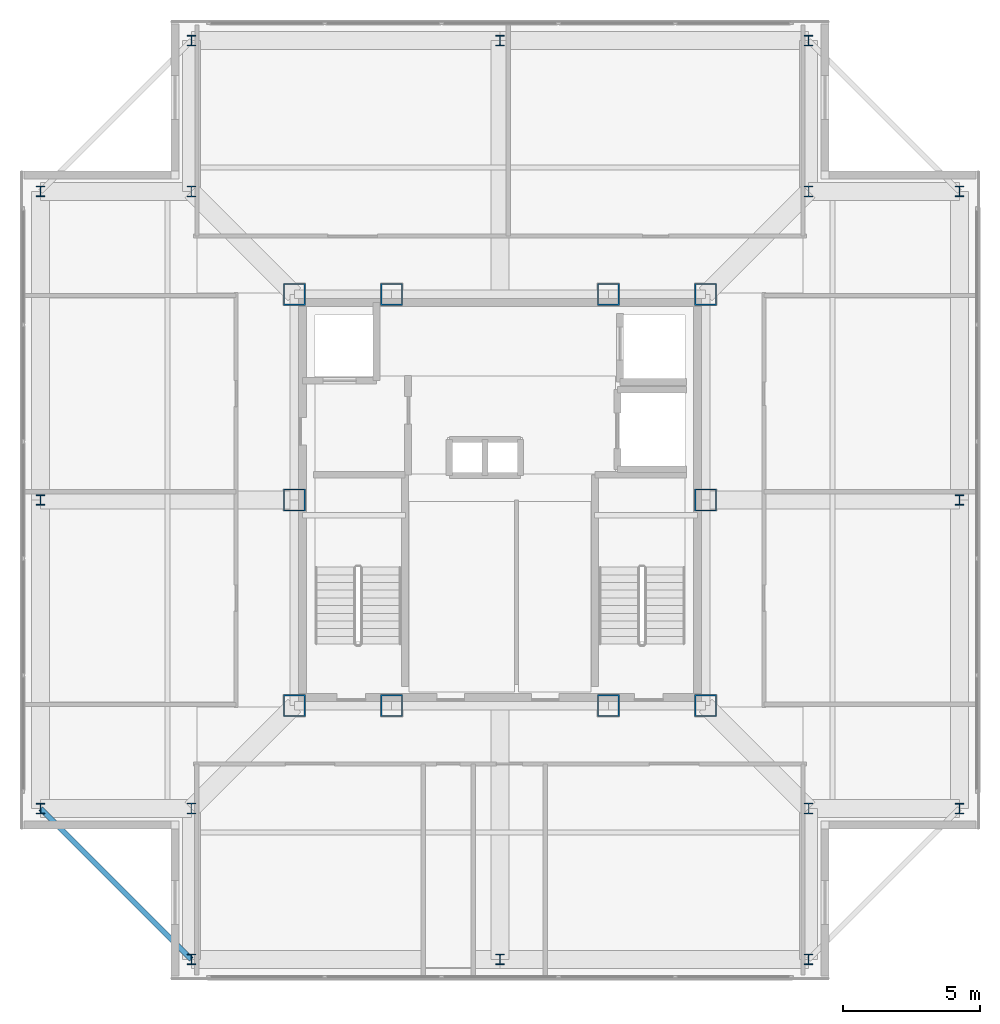
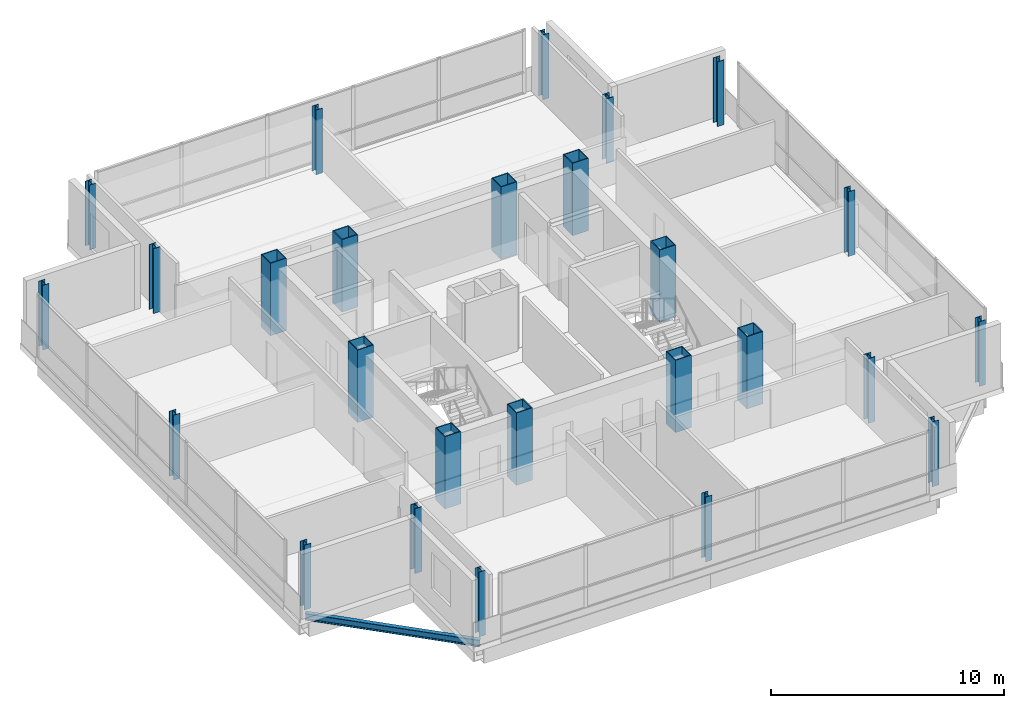
# One storey, part 1 of 12: 26 columns, 1 beam.
"""IFC4 building model written with IfcOpenShell, lengths in metres."""

from ifc_helpers import new_model, si_unit, direction, frame, origin, origin_2d, place, context, subcontext, project, spatial, hollow_rectangle, i_section, extrude, material, material_profile, profile_set, type_object, element, save


model = new_model("IFC4")

# Units and contexts
model_context = context("Model", 3, precision=1e-05, world=origin(), true_north=direction((0.0, 1.0)))
body_context = subcontext(model_context, "Body", "Model", "MODEL_VIEW")
ifc_project = project(units=[si_unit("LENGTHUNIT", "METRE"), si_unit("AREAUNIT", "SQUARE_METRE"), si_unit("VOLUMEUNIT", "CUBIC_METRE"), si_unit("PLANEANGLEUNIT", "RADIAN"), si_unit("MASSUNIT", "GRAM", prefix="KILO")], contexts=[model_context])

# Site, building, storey
site_placement = place(None, origin())
site = spatial("IfcSite", under=ifc_project, at=site_placement, CompositionType="ELEMENT")
building_placement = place(site_placement, origin())
building = spatial("IfcBuilding", under=site, at=building_placement, Name="Trevonay Congress Spire", CompositionType="ELEMENT")
storey_placement = place(building_placement, frame((0.0, 0.0, 304.60009765625)))
storey = spatial("IfcBuildingStorey", under=building, at=storey_placement, Name="L80", CompositionType="ELEMENT", Elevation=304.60009765625)

# Columns
ifc_material = material(Name="Steel ASTM A572 Grade 50", Category="steel")
ifc_material_profile_1 = material_profile(ifc_material, hollow_rectangle(XDim=0.800048828125, YDim=0.800048828125, WallThickness=0.0400390625, at=origin_2d()), Name="BOX 800x800x40")
ifc_profile_set_1 = profile_set([ifc_material_profile_1], Name="Steel ASTM A572 Grade 50")
column_type_1 = type_object("IfcColumnType", Name="COL-CORE-BOX800", PredefinedType="COLUMN", material=ifc_profile_set_1)
for number, where, z_axis, x_axis, name in (
    (1, (-7.5, -7.5, 0.0), (0.0, 0.0, 1.0), (1.0, 0.0, 0.0), "L80 column C05 at CC-SW"),
    (2, (-3.949951171875, -7.5, 0.0), (0.0, 0.0, 1.0), (1.0, 0.0, 0.0), "L80 column C05 at CC-SMW"),
    (3, (3.949951171875, -7.5, 0.0), (0.0, 0.0, 1.0), (1.0, 0.0, 0.0), "L80 column C05 at CC-SME"),
    (4, (7.5, -7.5, 0.0), (0.0, 0.0, 1.0), (1.0, 0.0, 0.0), "L80 column C05 at CC-SE"),
    (5, (7.5, 0.0, 0.0), (0.0, 0.0, 1.0), (1.0, 0.0, 0.0), "L80 column C05 at CC-E"),
    (6, (7.5, 7.5, 0.0), (0.0, 0.0, 1.0), (1.0, 0.0, 0.0), "L80 column C05 at CC-NE"),
    (7, (3.949951171875, 7.5, 0.0), (0.0, 0.0, 1.0), (1.0, 0.0, 0.0), "L80 column C05 at CC-NME"),
    (8, (-3.949951171875, 7.5, 0.0), (0.0, 0.0, 1.0), (1.0, 0.0, 0.0), "L80 column C05 at CC-NMW"),
    (9, (-7.5, 7.5, 0.0), (0.0, 0.0, 1.0), (1.0, 0.0, 0.0), "L80 column C05 at CC-NW"),
    (10, (-7.5, 0.0, 0.0), (0.0, 0.0, 1.0), (1.0, 0.0, 0.0), "L80 column C05 at CC-W"),
):
    element("IfcColumn", number, at=place(storey_placement, frame(where, z_axis=z_axis, x_axis=x_axis)), inside=storey, type_object=column_type_1, Name=name, PredefinedType="COLUMN", context=body_context, shape_type="SweptSolid", body=[
        extrude(hollow_rectangle(XDim=0.800048828125, YDim=0.800048828125, WallThickness=0.0400390625, at=origin_2d()), origin(), (0.0, 0.0, 1.0), 3.7998046875),
    ])
ifc_material_profile_2 = material_profile(ifc_material, i_section(OverallWidth=0.322021484375, OverallDepth=0.3720703125, WebThickness=0.014404296875, FlangeThickness=0.023681640625, FilletRadius=0.02001953125, at=origin_2d()), Name="W360x196")
ifc_profile_set_2 = profile_set([ifc_material_profile_2], Name="Steel ASTM A572 Grade 50")
column_type_2 = type_object("IfcColumnType", Name="COL-CROWN-W360X196", PredefinedType="COLUMN", material=ifc_profile_set_2)
for number, where, z_axis, x_axis, name in (
    (11, (-11.25, -16.75, 0.0), (0.0, 0.0, 1.0), (1.0, 0.0, 0.0), "L80 column C18 at TS-1"),
    (12, (-11.25, 16.75, 0.0), (0.0, 0.0, 1.0), (1.0, 0.0, 0.0), "L80 column C18 at TN-1"),
    (13, (-16.75, -11.25, 0.0), (0.0, 0.0, 1.0), (1.0, 0.0, 0.0), "L80 column C18 at TW-1"),
    (14, (16.75, -11.25, 0.0), (0.0, 0.0, 1.0), (1.0, 0.0, 0.0), "L80 column C18 at TE-1"),
    (15, (0.0, -16.75, 0.0), (0.0, 0.0, 1.0), (1.0, 0.0, 0.0), "L80 column C18 at TS-2"),
    (16, (0.0, 16.75, 0.0), (0.0, 0.0, 1.0), (1.0, 0.0, 0.0), "L80 column C18 at TN-2"),
    (17, (-16.75, 0.0, 0.0), (0.0, 0.0, 1.0), (1.0, 0.0, 0.0), "L80 column C18 at TW-2"),
    (18, (16.75, 0.0, 0.0), (0.0, 0.0, 1.0), (1.0, 0.0, 0.0), "L80 column C18 at TE-2"),
    (19, (11.25, -16.75, 0.0), (0.0, 0.0, 1.0), (1.0, 0.0, 0.0), "L80 column C18 at TS-3"),
    (20, (11.25, 16.75, 0.0), (0.0, 0.0, 1.0), (1.0, 0.0, 0.0), "L80 column C18 at TN-3"),
    (21, (-16.75, 11.25, 0.0), (0.0, 0.0, 1.0), (1.0, 0.0, 0.0), "L80 column C18 at TW-3"),
    (22, (16.75, 11.25, 0.0), (0.0, 0.0, 1.0), (1.0, 0.0, 0.0), "L80 column C18 at TE-3"),
):
    element("IfcColumn", number, at=place(storey_placement, frame(where, z_axis=z_axis, x_axis=x_axis)), inside=storey, type_object=column_type_2, Name=name, PredefinedType="COLUMN", context=body_context, shape_type="SweptSolid", body=[
        extrude(i_section(OverallWidth=0.322021484375, OverallDepth=0.3720703125, WebThickness=0.014404296875, FlangeThickness=0.023681640625, FilletRadius=0.02001953125, at=origin_2d()), origin(), (0.0, 0.0, 1.0), 3.39990234375),
    ])
ifc_material_profile_3 = material_profile(ifc_material, i_section(OverallWidth=0.340087890625, OverallDepth=0.39306640625, WebThickness=0.020263671875, FlangeThickness=0.033203125, FilletRadius=0.02001953125, at=origin_2d()), Name="W360x287")
ifc_profile_set_3 = profile_set([ifc_material_profile_3], Name="Steel ASTM A572 Grade 50")
column_type_3 = type_object("IfcColumnType", Name="COL-CROWN-W360X287", PredefinedType="COLUMN", material=ifc_profile_set_3)
for number, where, z_axis, x_axis, name in (
    (23, (-11.25, -11.25, 0.0), (0.0, 0.0, 1.0), (1.0, 0.0, 0.0), "L80 column C20 at NC-SW"),
    (24, (11.25, -11.25, 0.0), (0.0, 0.0, 1.0), (1.0, 0.0, 0.0), "L80 column C20 at NC-SE"),
    (25, (11.25, 11.25, 0.0), (0.0, 0.0, 1.0), (1.0, 0.0, 0.0), "L80 column C20 at NC-NE"),
    (26, (-11.25, 11.25, 0.0), (0.0, 0.0, 1.0), (1.0, 0.0, 0.0), "L80 column C20 at NC-NW"),
):
    element("IfcColumn", number, at=place(storey_placement, frame(where, z_axis=z_axis, x_axis=x_axis)), inside=storey, type_object=column_type_3, Name=name, PredefinedType="COLUMN", context=body_context, shape_type="SweptSolid", body=[
        extrude(i_section(OverallWidth=0.340087890625, OverallDepth=0.39306640625, WebThickness=0.020263671875, FlangeThickness=0.033203125, FilletRadius=0.02001953125, at=origin_2d()), origin(), (0.0, 0.0, 1.0), 3.39990234375),
    ])

# Beam
ifc_material_profile_4 = material_profile(ifc_material, i_section(OverallWidth=0.205078125, OverallDepth=0.35400390625, WebThickness=0.009521484375, FlangeThickness=0.016845703125, FilletRadius=0.011962890625, at=origin_2d()), Name="W360x79")
ifc_profile_set_4 = profile_set([ifc_material_profile_4], Name="Steel ASTM A572 Grade 50")
beam_type = type_object("IfcBeamType", Name="SPB-HSS350", PredefinedType="SPANDREL", material=ifc_profile_set_4)
beam_placement = place(storey_placement, frame((-11.25, -16.75, -0.45703125), z_axis=(-0.707106781187, 0.707106781187, 0.0), x_axis=(-0.707106781187, -0.707106781187, 0.0)))
element("IfcBeam", 27, at=beam_placement, inside=storey, type_object=beam_type, Name="L80 structural beam SPB-L80-SW", PredefinedType="SPANDREL", context=body_context, shape_type="SweptSolid", body=[
    extrude(i_section(OverallWidth=0.205078125, OverallDepth=0.35400390625, WebThickness=0.009521484375, FlangeThickness=0.016845703125, FilletRadius=0.011962890625, at=origin_2d()), origin(), (0.0, 0.0, 1.0), 7.778076171875),
])

save(model, "model.ifc")
